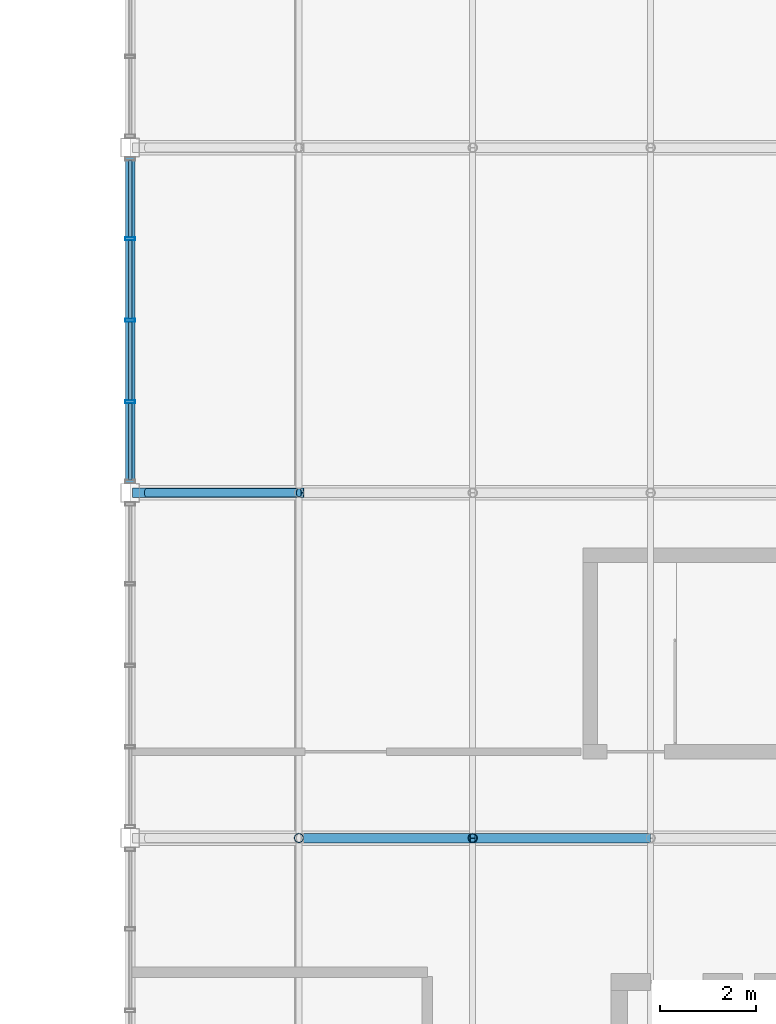
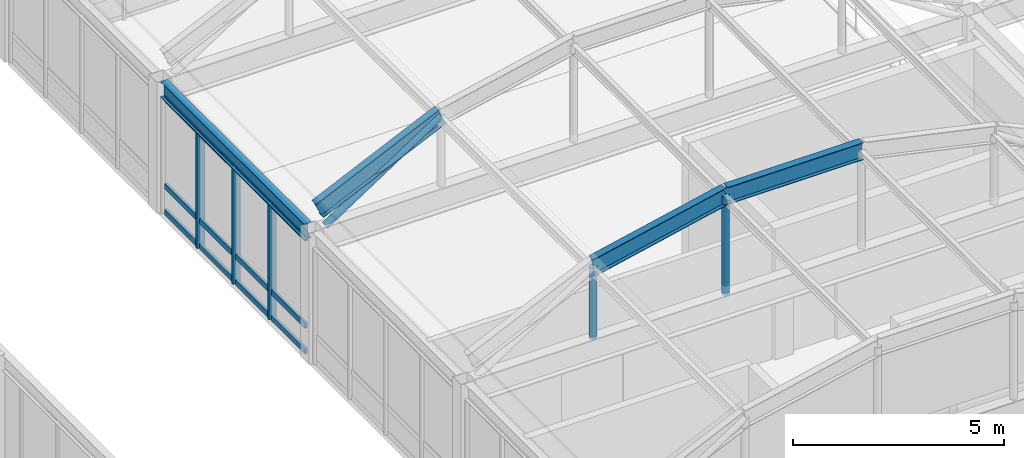
# One storey, part 26 of 106: 21 members, 1 beam, 1 element without a shape of its own.
"""IFC4 building model written with IfcOpenShell, lengths in metres."""

from ifc_helpers import new_model, si_unit, direction, frame, origin, origin_2d, place, context, subcontext, project, spatial, hollow_rectangle, hollow_circle, i_section, extrude, material, material_profile, profile_set, type_object, element, aggregate, save


model = new_model("IFC4")

# Units and contexts
model_context = context("Model", 3, precision=1e-05, world=origin(), true_north=direction((0.0, 1.0)))
body_context = subcontext(model_context, "Body", "Model", "MODEL_VIEW")
ifc_project = project(units=[si_unit("LENGTHUNIT", "METRE"), si_unit("AREAUNIT", "SQUARE_METRE"), si_unit("VOLUMEUNIT", "CUBIC_METRE"), si_unit("PLANEANGLEUNIT", "RADIAN"), si_unit("MASSUNIT", "GRAM", prefix="KILO")], contexts=[model_context])

# Site, building, storey
site_placement = place(None, origin())
site = spatial("IfcSite", under=ifc_project, at=site_placement, CompositionType="ELEMENT")
building_placement = place(site_placement, origin())
building = spatial("IfcBuilding", under=site, at=building_placement, Name="Kazanami Central Library", CompositionType="ELEMENT")
storey_placement = place(building_placement, frame((0.0, 0.0, 12.800048828125)))
storey = spatial("IfcBuildingStorey", under=building, at=storey_placement, Name="L04", CompositionType="ELEMENT", Elevation=12.800048828125)

# Beam
ifc_material_1 = material(Name="Steel SN490B (325 MPa)", Category="steel")
ifc_material_profile_1 = material_profile(ifc_material_1, i_section(OverallWidth=0.199951171875, OverallDepth=0.449951171875, WebThickness=0.009033203125, FlangeThickness=0.013916015625, at=origin_2d()), Name="H-450x200x9x14")
ifc_profile_set_1 = profile_set([ifc_material_profile_1], Name="Steel SN490B (325 MPa)")
beam_type = type_object("IfcBeamType", Name="BM-SP-2", PredefinedType="SPANDREL", material=ifc_profile_set_1)
beam_placement = place(storey_placement, frame((45.0, 79.39794921875, 3.554931640625), z_axis=(0.0, 1.0, 0.0), x_axis=(-1.0, 0.0, 0.0)))
element("IfcBeam", 1, at=beam_placement, inside=storey, type_object=beam_type, Name="Girder SP-2 L04 6/M-N", PredefinedType="SPANDREL", context=body_context, shape_type="SweptSolid", body=[
    extrude(i_section(OverallWidth=0.199951171875, OverallDepth=0.449951171875, WebThickness=0.009033203125, FlangeThickness=0.013916015625, at=origin_2d()), origin(), (0.0, 0.0, 1.0), 6.803955078125),
])

# Members
ifc_material_profile_2 = material_profile(ifc_material_1, i_section(OverallWidth=0.199951171875, OverallDepth=0.5, WebThickness=0.010009765625, FlangeThickness=0.01611328125, at=origin_2d()), Name="H-500x200x10x16")
ifc_profile_set_2 = profile_set([ifc_material_profile_2], Name="Steel SN490B (325 MPa)")
member_type_1 = type_object("IfcMemberType", Name="MEM-AR-02", PredefinedType="CHORD", material=ifc_profile_set_2)
for number, where, z_axis, x_axis, name in (
    (2, (48.519775390625, 72.0, 5.80908203125), (0.976745687277, 0.0, 0.214401171606), (0.0, 1.0, 0.0), "Barrel Vault Arch Rib AR-02 VAULT-WEST Grid L Seg 2"),
    (3, (52.14453125, 72.0, 6.604736328125), (1.0, 0.0, 0.0), (0.0, 1.0, 0.0), "Barrel Vault Arch Rib AR-02 VAULT-WEST Grid L Seg 3"),
    (4, (45.14990234375, 79.199951171875, 4.2548828125), (0.908074880538, 0.0, 0.41880784536), (0.0, 1.0, 0.0), "Barrel Vault Arch Rib AR-02 VAULT-WEST Grid M Seg 1"),
):
    element("IfcMember", number, at=place(storey_placement, frame(where, z_axis=z_axis, x_axis=x_axis)), inside=storey, type_object=member_type_1, Name=name, PredefinedType="CHORD", context=body_context, shape_type="SweptSolid", body=[
        extrude(i_section(OverallWidth=0.199951171875, OverallDepth=0.5, WebThickness=0.010009765625, FlangeThickness=0.01611328125, at=origin_2d()), origin(), (0.0, 0.0, 1.0), 3.7109375),
    ])

# Curtain wall, members
ifc_material_2 = material(Name="Acid-Etched Low-E Laminated Glass", Category="glass")
curtain_wall_type = type_object("IfcCurtainWallType", Name="CW-6800x3330-M180", PredefinedType="USERDEFINED", material=ifc_material_2)
curtain_wall_placement = place(storey_placement, origin())
curtain_wall = element("IfcCurtainWall", 5, at=curtain_wall_placement, inside=storey, type_object=curtain_wall_type, Name="Covered Link Bridge Curtain Wall CW-44 L04 W-6-11", ObjectType="UNITISED CURTAIN WALL", PredefinedType="USERDEFINED")
ifc_material_3 = material(Name="Anodised Aluminium A6063-T5", Category="aluminium")
ifc_material_profile_3 = material_profile(ifc_material_3, hollow_rectangle(XDim=0.070068359375, YDim=0.2099609375, WallThickness=0.0048828125, at=origin_2d()), Name="ALU-MULL-70x210x5")
ifc_profile_set_3 = profile_set([ifc_material_profile_3], Name="Anodised Aluminium A6063-T5")
member_type_2 = type_object("IfcMemberType", Name="MEM-CW-M1", PredefinedType="MULLION", material=ifc_profile_set_3)
member_1_placement = place(storey_placement, frame((45.0, 81.10009765625, 0.0), z_axis=(0.0, 0.0, 1.0), x_axis=(0.0, 1.0, 0.0)))
member_1 = element("IfcMember", 6, at=member_1_placement, type_object=member_type_2, Name="CW-44 mullion 2", PredefinedType="MULLION", context=body_context, shape_type="SweptSolid", body=[
    extrude(hollow_rectangle(XDim=0.070068359375, YDim=0.2099609375, WallThickness=0.0048828125, at=origin_2d()), origin(), (0.0, 0.0, 1.0), 3.329833984375),
])
member_2_placement = place(storey_placement, frame((45.0, 82.800048828125, 0.0), z_axis=(0.0, 0.0, 1.0), x_axis=(0.0, 1.0, 0.0)))
member_2 = element("IfcMember", 7, at=member_2_placement, type_object=member_type_2, Name="CW-44 mullion 3", PredefinedType="MULLION", context=body_context, shape_type="SweptSolid", body=[
    extrude(hollow_rectangle(XDim=0.070068359375, YDim=0.2099609375, WallThickness=0.0048828125, at=origin_2d()), origin(), (0.0, 0.0, 1.0), 3.329833984375),
])
member_3_placement = place(storey_placement, frame((45.0, 84.5, 0.0), z_axis=(0.0, 0.0, 1.0), x_axis=(0.0, 1.0, 0.0)))
member_3 = element("IfcMember", 8, at=member_3_placement, type_object=member_type_2, Name="CW-44 mullion 4", PredefinedType="MULLION", context=body_context, shape_type="SweptSolid", body=[
    extrude(hollow_rectangle(XDim=0.070068359375, YDim=0.2099609375, WallThickness=0.0048828125, at=origin_2d()), origin(), (0.0, 0.0, 1.0), 3.329833984375),
])
ifc_material_profile_4 = material_profile(ifc_material_3, hollow_rectangle(XDim=0.070068359375, YDim=0.159912109375, WallThickness=0.00390625, at=origin_2d()), Name="ALU-TRAN-70x160x4")
ifc_profile_set_4 = profile_set([ifc_material_profile_4], Name="Anodised Aluminium A6063-T5")
member_type_3 = type_object("IfcMemberType", Name="MEM-CW-T1", PredefinedType="USERDEFINED", material=ifc_profile_set_4)
member_4_placement = place(storey_placement, frame((45.0, 79.469970703125, 0.034912109375), z_axis=(0.0, 1.0, 0.0), x_axis=(-1.0, 0.0, 0.0)))
member_4 = element("IfcMember", 9, at=member_4_placement, type_object=member_type_3, Name="CW-44 transom 1.1", ObjectType="TRANSOM", PredefinedType="USERDEFINED", context=body_context, shape_type="SweptSolid", body=[
    extrude(hollow_rectangle(XDim=0.070068359375, YDim=0.159912109375, WallThickness=0.00390625, at=origin_2d()), origin(), (0.0, 0.0, 1.0), 1.594970703125),
])
member_5_placement = place(storey_placement, frame((45.0, 79.469970703125, 0.780029296875), z_axis=(0.0, 1.0, 0.0), x_axis=(-1.0, 0.0, 0.0)))
member_5 = element("IfcMember", 10, at=member_5_placement, type_object=member_type_3, Name="CW-44 transom 1.2", ObjectType="TRANSOM", PredefinedType="USERDEFINED", context=body_context, shape_type="SweptSolid", body=[
    extrude(hollow_rectangle(XDim=0.070068359375, YDim=0.159912109375, WallThickness=0.00390625, at=origin_2d()), origin(), (0.0, 0.0, 1.0), 1.594970703125),
])
member_6_placement = place(storey_placement, frame((45.0, 79.469970703125, 3.294921875), z_axis=(0.0, 1.0, 0.0), x_axis=(-1.0, 0.0, 0.0)))
member_6 = element("IfcMember", 11, at=member_6_placement, type_object=member_type_3, Name="CW-44 transom 1.3", ObjectType="TRANSOM", PredefinedType="USERDEFINED", context=body_context, shape_type="SweptSolid", body=[
    extrude(hollow_rectangle(XDim=0.070068359375, YDim=0.159912109375, WallThickness=0.00390625, at=origin_2d()), origin(), (0.0, 0.0, 1.0), 1.594970703125),
])
member_7_placement = place(storey_placement, frame((45.0, 81.135009765625, 0.034912109375), z_axis=(0.0, 1.0, 0.0), x_axis=(-1.0, 0.0, 0.0)))
member_7 = element("IfcMember", 12, at=member_7_placement, type_object=member_type_3, Name="CW-44 transom 2.1", ObjectType="TRANSOM", PredefinedType="USERDEFINED", context=body_context, shape_type="SweptSolid", body=[
    extrude(hollow_rectangle(XDim=0.070068359375, YDim=0.159912109375, WallThickness=0.00390625, at=origin_2d()), origin(), (0.0, 0.0, 1.0), 1.6298828125),
])
member_8_placement = place(storey_placement, frame((45.0, 81.135009765625, 0.780029296875), z_axis=(0.0, 1.0, 0.0), x_axis=(-1.0, 0.0, 0.0)))
member_8 = element("IfcMember", 13, at=member_8_placement, type_object=member_type_3, Name="CW-44 transom 2.2", ObjectType="TRANSOM", PredefinedType="USERDEFINED", context=body_context, shape_type="SweptSolid", body=[
    extrude(hollow_rectangle(XDim=0.070068359375, YDim=0.159912109375, WallThickness=0.00390625, at=origin_2d()), origin(), (0.0, 0.0, 1.0), 1.6298828125),
])
member_9_placement = place(storey_placement, frame((45.0, 81.135009765625, 3.294921875), z_axis=(0.0, 1.0, 0.0), x_axis=(-1.0, 0.0, 0.0)))
member_9 = element("IfcMember", 14, at=member_9_placement, type_object=member_type_3, Name="CW-44 transom 2.3", ObjectType="TRANSOM", PredefinedType="USERDEFINED", context=body_context, shape_type="SweptSolid", body=[
    extrude(hollow_rectangle(XDim=0.070068359375, YDim=0.159912109375, WallThickness=0.00390625, at=origin_2d()), origin(), (0.0, 0.0, 1.0), 1.6298828125),
])
member_10_placement = place(storey_placement, frame((45.0, 82.8349609375, 0.034912109375), z_axis=(0.0, 1.0, 0.0), x_axis=(-1.0, 0.0, 0.0)))
member_10 = element("IfcMember", 15, at=member_10_placement, type_object=member_type_3, Name="CW-44 transom 3.1", ObjectType="TRANSOM", PredefinedType="USERDEFINED", context=body_context, shape_type="SweptSolid", body=[
    extrude(hollow_rectangle(XDim=0.070068359375, YDim=0.159912109375, WallThickness=0.00390625, at=origin_2d()), origin(), (0.0, 0.0, 1.0), 1.630126953125),
])
member_11_placement = place(storey_placement, frame((45.0, 82.8349609375, 0.780029296875), z_axis=(0.0, 1.0, 0.0), x_axis=(-1.0, 0.0, 0.0)))
member_11 = element("IfcMember", 16, at=member_11_placement, type_object=member_type_3, Name="CW-44 transom 3.2", ObjectType="TRANSOM", PredefinedType="USERDEFINED", context=body_context, shape_type="SweptSolid", body=[
    extrude(hollow_rectangle(XDim=0.070068359375, YDim=0.159912109375, WallThickness=0.00390625, at=origin_2d()), origin(), (0.0, 0.0, 1.0), 1.630126953125),
])
member_12_placement = place(storey_placement, frame((45.0, 82.8349609375, 3.294921875), z_axis=(0.0, 1.0, 0.0), x_axis=(-1.0, 0.0, 0.0)))
member_12 = element("IfcMember", 17, at=member_12_placement, type_object=member_type_3, Name="CW-44 transom 3.3", ObjectType="TRANSOM", PredefinedType="USERDEFINED", context=body_context, shape_type="SweptSolid", body=[
    extrude(hollow_rectangle(XDim=0.070068359375, YDim=0.159912109375, WallThickness=0.00390625, at=origin_2d()), origin(), (0.0, 0.0, 1.0), 1.630126953125),
])
member_13_placement = place(storey_placement, frame((45.0, 84.534912109375, 0.034912109375), z_axis=(0.0, 1.0, 0.0), x_axis=(-1.0, 0.0, 0.0)))
member_13 = element("IfcMember", 18, at=member_13_placement, type_object=member_type_3, Name="CW-44 transom 4.1", ObjectType="TRANSOM", PredefinedType="USERDEFINED", context=body_context, shape_type="SweptSolid", body=[
    extrude(hollow_rectangle(XDim=0.070068359375, YDim=0.159912109375, WallThickness=0.00390625, at=origin_2d()), origin(), (0.0, 0.0, 1.0), 1.594970703125),
])
member_14_placement = place(storey_placement, frame((45.0, 84.534912109375, 0.780029296875), z_axis=(0.0, 1.0, 0.0), x_axis=(-1.0, 0.0, 0.0)))
member_14 = element("IfcMember", 19, at=member_14_placement, type_object=member_type_3, Name="CW-44 transom 4.2", ObjectType="TRANSOM", PredefinedType="USERDEFINED", context=body_context, shape_type="SweptSolid", body=[
    extrude(hollow_rectangle(XDim=0.070068359375, YDim=0.159912109375, WallThickness=0.00390625, at=origin_2d()), origin(), (0.0, 0.0, 1.0), 1.594970703125),
])
member_15_placement = place(storey_placement, frame((45.0, 84.534912109375, 3.294921875), z_axis=(0.0, 1.0, 0.0), x_axis=(-1.0, 0.0, 0.0)))
member_15 = element("IfcMember", 20, at=member_15_placement, type_object=member_type_3, Name="CW-44 transom 4.3", ObjectType="TRANSOM", PredefinedType="USERDEFINED", context=body_context, shape_type="SweptSolid", body=[
    extrude(hollow_rectangle(XDim=0.070068359375, YDim=0.159912109375, WallThickness=0.00390625, at=origin_2d()), origin(), (0.0, 0.0, 1.0), 1.594970703125),
])
aggregate(curtain_wall, [member_1, member_2, member_3, member_4, member_5, member_6, member_7, member_8, member_9, member_10, member_11, member_12, member_13, member_14, member_15])

# Members
ifc_material_4 = material(Name="Steel STK490 (315 MPa)", Category="steel")
ifc_material_profile_5 = material_profile(ifc_material_4, hollow_circle(Radius=0.095458984375, WallThickness=0.007080078125, at=origin_2d()), Name="CHS-190.7x7.0")
ifc_profile_set_5 = profile_set([ifc_material_profile_5], Name="Steel STK490 (315 MPa)")
member_type_4 = type_object("IfcMemberType", Name="MEM-VST-190", PredefinedType="STRUT", material=ifc_profile_set_5)
member_16_placement = place(storey_placement, frame((48.519775390625, 72.0, 3.71484375), z_axis=(0.0, 0.0, 1.0), x_axis=(1.0, 0.0, 0.0)))
element("IfcMember", 21, at=member_16_placement, inside=storey, type_object=member_type_4, Name="Barrel Vault Tied-Arch Web Strut VAULT-WEST Grid L Knuckle 1", PredefinedType="STRUT", context=body_context, shape_type="SweptSolid", body=[
    extrude(hollow_circle(Radius=0.095458984375, WallThickness=0.007080078125, at=origin_2d()), origin(), (0.0, 0.0, 1.0), 2.07421875),
])
member_17_placement = place(storey_placement, frame((52.14453125, 72.0, 3.71484375), z_axis=(0.0, 0.0, 1.0), x_axis=(1.0, 0.0, 0.0)))
element("IfcMember", 22, at=member_17_placement, inside=storey, type_object=member_type_4, Name="Barrel Vault Tied-Arch Web Strut VAULT-WEST Grid L Knuckle 2", PredefinedType="STRUT", context=body_context, shape_type="SweptSolid", body=[
    extrude(hollow_circle(Radius=0.095458984375, WallThickness=0.007080078125, at=origin_2d()), origin(), (0.0, 0.0, 1.0), 2.869873046875),
])
member_18_placement = place(storey_placement, frame((45.35009765625, 79.199951171875, 3.71484375), z_axis=(0.836759504137, 0.0, 0.547570572837), x_axis=(0.0, 1.0, 0.0)))
element("IfcMember", 23, at=member_18_placement, inside=storey, type_object=member_type_4, Name="Barrel Vault Tied-Arch Diagonal VAULT-WEST Grid M (L)", PredefinedType="BRACE", context=body_context, shape_type="SweptSolid", body=[
    extrude(hollow_circle(Radius=0.095458984375, WallThickness=0.007080078125, at=origin_2d()), origin(), (0.0, 0.0, 1.0), 3.7880859375),
])

save(model, "model.ifc")
